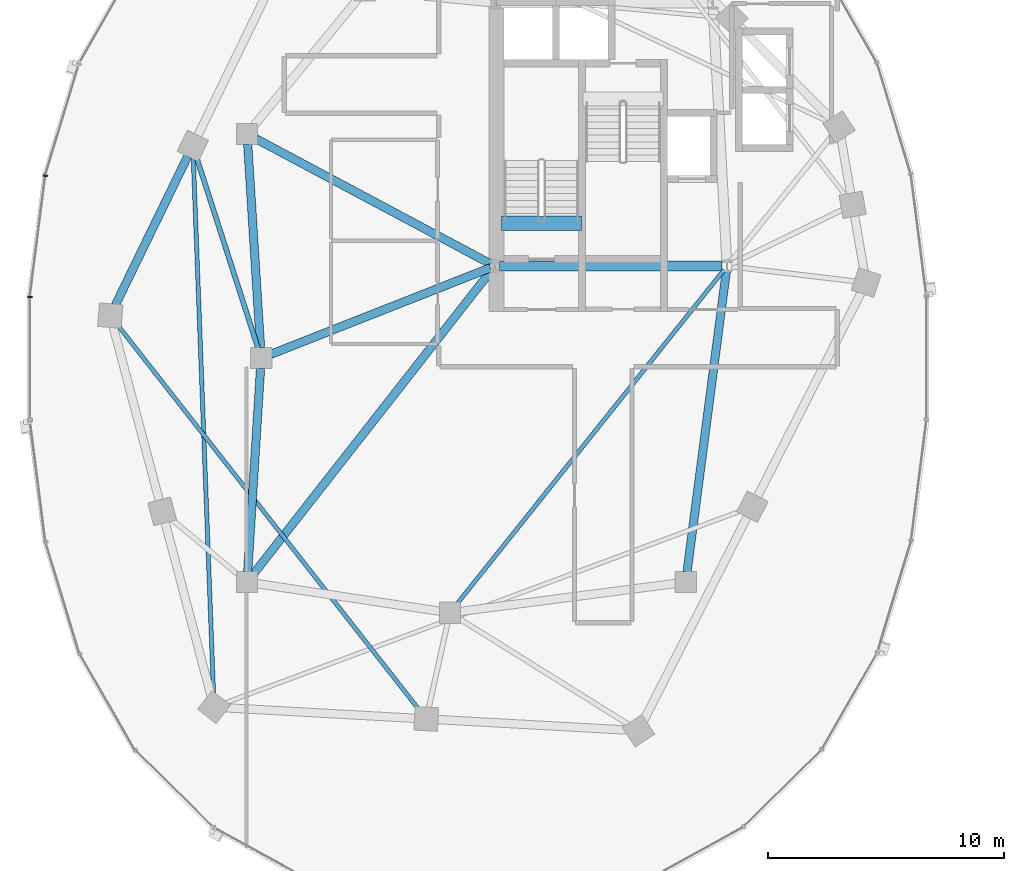
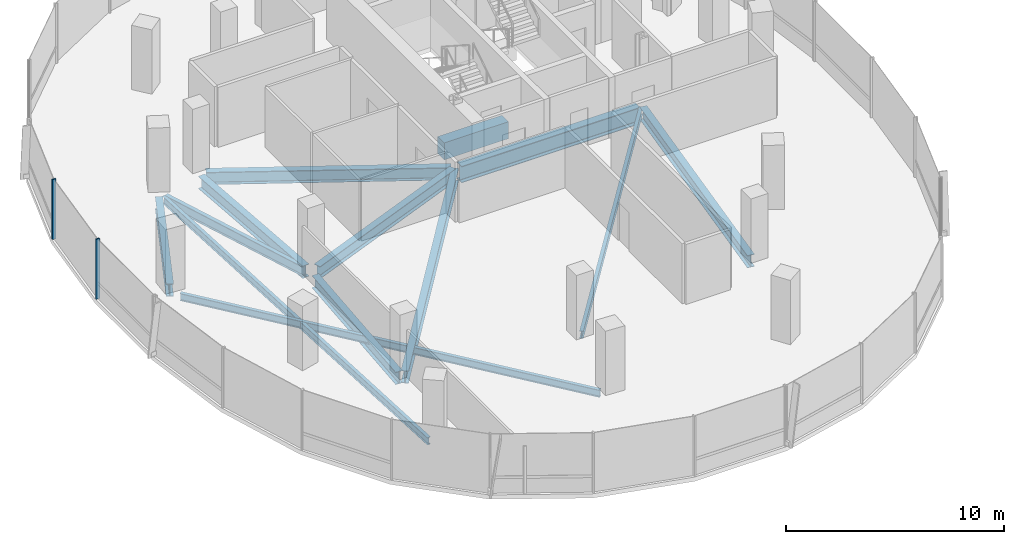
# One storey, part 3 of 21: 13 beams, 2 members, 1 element without a shape of its own.
"""IFC4 building model written with IfcOpenShell, lengths in metres."""

from ifc_helpers import new_model, si_unit, direction, frame, origin, origin_2d, place, context, subcontext, project, spatial, rectangle, i_section, extrude, material, material_profile, profile_set, type_object, element, aggregate, save


model = new_model("IFC4")

# Units and contexts
model_context = context("Model", 3, precision=1e-05, world=origin(), true_north=direction((0.0, 1.0)))
body_context = subcontext(model_context, "Body", "Model", "MODEL_VIEW")
ifc_project = project(units=[si_unit("LENGTHUNIT", "METRE"), si_unit("AREAUNIT", "SQUARE_METRE"), si_unit("VOLUMEUNIT", "CUBIC_METRE"), si_unit("PLANEANGLEUNIT", "RADIAN"), si_unit("MASSUNIT", "GRAM", prefix="KILO"), si_unit("THERMODYNAMICTEMPERATUREUNIT", "KELVIN"), si_unit("POWERUNIT", "WATT")], contexts=[model_context])

# Site, building, storey
site_placement = place(None, origin())
site = spatial("IfcSite", under=ifc_project, at=site_placement, CompositionType="ELEMENT")
building_placement = place(site_placement, origin())
building = spatial("IfcBuilding", under=site, at=building_placement, Name="Cundina Bronze Exchange", CompositionType="ELEMENT")
storey_placement = place(building_placement, frame((0.0, 0.0, 180.0)))
storey = spatial("IfcBuildingStorey", under=building, at=storey_placement, Name="L47", CompositionType="ELEMENT", Elevation=180.0)

# Beams
ifc_material_1 = material(Name="Concrete C60/75", Category="concrete")
ifc_material_profile_1 = material_profile(ifc_material_1, rectangle(XDim=0.60009765625, YDim=0.949951171875, at=origin_2d()), Name="RC600X950", Category="concrete")
ifc_profile_set_1 = profile_set([ifc_material_profile_1], Name="Concrete C60/75")
beam_type_1 = type_object("IfcBeamType", Name="BM-COUP-RC950", PredefinedType="LINTEL", material=ifc_profile_set_1)
beam_1_placement = place(storey_placement, frame((-31.02001953125, 5.719970703125, -0.47509765625), z_axis=(1.0, 0.0, 0.0), x_axis=(0.0, 1.0, 0.0)))
element("IfcBeam", 1, at=beam_1_placement, inside=storey, type_object=beam_type_1, Name="L47 Stair W1 Landing Header Beam", PredefinedType="LINTEL", context=body_context, shape_type="SweptSolid", body=[
    extrude(rectangle(XDim=0.60009765625, YDim=0.949951171875, at=origin_2d()), origin(), (0.0, 0.0, 1.0), 3.39990234375),
])
ifc_material_2 = material(Name="Steel ASTM A992 Grade 50", Category="steel")
ifc_material_profile_2 = material_profile(ifc_material_2, i_section(OverallWidth=0.2119140625, OverallDepth=0.5439453125, WebThickness=0.01318359375, FlangeThickness=0.021240234375, FilletRadius=0.013916015625, at=origin_2d()), Name="W21X83", Category="steel")
ifc_profile_set_2 = profile_set([ifc_material_profile_2], Name="Steel ASTM A992 Grade 50")
beam_type_2 = type_object("IfcBeamType", Name="BM-FLR-W21A", PredefinedType="BEAM", material=ifc_profile_set_2)
beam_2_placement = place(storey_placement, frame((-41.334228515625, 0.4169921875, -0.511962890625), z_axis=(-0.30669751302, 0.951807036908, 0.0), x_axis=(-0.951807036908, -0.30669751302, 0.0)))
element("IfcBeam", 2, at=beam_2_placement, inside=storey, type_object=beam_type_2, Name="L47 Leg W Radial Floor Beam 07", PredefinedType="BEAM", context=body_context, shape_type="SweptSolid", body=[
    extrude(i_section(OverallWidth=0.2119140625, OverallDepth=0.5439453125, WebThickness=0.01318359375, FlangeThickness=0.021240234375, FilletRadius=0.013916015625, at=origin_2d()), origin(), (0.0, 0.0, 1.0), 8.529541015625),
])
ifc_material_profile_3 = material_profile(ifc_material_2, i_section(OverallWidth=0.178955078125, OverallDepth=0.409912109375, WebThickness=0.0087890625, FlangeThickness=0.014404296875, FilletRadius=0.010986328125, at=origin_2d()), Name="W16X45", Category="steel")
ifc_profile_set_3 = profile_set([ifc_material_profile_3], Name="Steel ASTM A992 Grade 50")
beam_type_3 = type_object("IfcBeamType", Name="BM-JST-W16", PredefinedType="JOIST", material=ifc_profile_set_3)
beam_3_placement = place(storey_placement, frame((-21.577392578125, 3.740478515625, -0.445068359375), z_axis=(-0.624370675223, -0.781128196854, 0.0), x_axis=(0.781128196854, -0.624370675223, 0.0)))
element("IfcBeam", 3, at=beam_3_placement, inside=storey, type_object=beam_type_3, Name="L47 W Interior Core-to-Ring Joist 2", PredefinedType="JOIST", context=body_context, shape_type="SweptSolid", body=[
    extrude(i_section(OverallWidth=0.178955078125, OverallDepth=0.409912109375, WebThickness=0.0087890625, FlangeThickness=0.014404296875, FilletRadius=0.010986328125, at=origin_2d()), origin(), (0.0, 0.0, 1.0), 18.177001953125),
])
beam_4_placement = place(storey_placement, frame((-44.08154296875, 8.51220703125, -0.445068359375), z_axis=(0.037784933381, -0.999285894431, 0.0), x_axis=(0.999285894431, 0.037784933381, 0.0)))
element("IfcBeam", 4, at=beam_4_placement, inside=storey, type_object=beam_type_3, Name="L47 Leg W Lobe Floor Joist 07-10", PredefinedType="JOIST", context=body_context, shape_type="SweptSolid", body=[
    extrude(i_section(OverallWidth=0.178955078125, OverallDepth=0.409912109375, WebThickness=0.0087890625, FlangeThickness=0.014404296875, FilletRadius=0.010986328125, at=origin_2d()), origin(), (0.0, 0.0, 1.0), 22.8408203125),
])
beam_5_placement = place(storey_placement, frame((-47.299072265625, 1.416015625, -0.445068359375), z_axis=(0.616801484103, -0.787118751656, 0.0), x_axis=(0.787118751656, 0.616801484103, 0.0)))
element("IfcBeam", 5, at=beam_5_placement, inside=storey, type_object=beam_type_3, Name="L47 Leg W Lobe Floor Joist 08-11", PredefinedType="JOIST", context=body_context, shape_type="SweptSolid", body=[
    extrude(i_section(OverallWidth=0.178955078125, OverallDepth=0.409912109375, WebThickness=0.0087890625, FlangeThickness=0.014404296875, FilletRadius=0.010986328125, at=origin_2d()), origin(), (0.0, 0.0, 1.0), 20.7490234375),
])
ifc_material_profile_4 = material_profile(ifc_material_2, i_section(OverallWidth=0.35498046875, OverallDepth=0.695068359375, WebThickness=0.015380859375, FlangeThickness=0.02490234375, FilletRadius=0.01806640625, at=origin_2d()), Name="W27X146", Category="steel")
ifc_profile_set_4 = profile_set([ifc_material_profile_4], Name="Steel ASTM A992 Grade 50")
beam_type_4 = type_object("IfcBeamType", Name="BM-RING-W27", PredefinedType="USERDEFINED", material=ifc_profile_set_4)
for number, where, z_axis, x_axis, name in (
    (6, (-41.7724609375, 9.06298828125, -0.58740234375), (0.063046519736, -0.998010589297, 0.0), (0.998010589297, 0.063046519736, 0.0), "L47 W Inner Structural Ring Girder 03"),
    (7, (-41.2275390625, -0.43701171875, -0.58740234375), (-0.063046519736, -0.998010589297, 0.0), (0.998010589297, -0.063046519736, 0.0), "L47 W Inner Structural Ring Girder 04"),
):
    element("IfcBeam", number, at=place(storey_placement, frame(where, z_axis=z_axis, x_axis=x_axis)), inside=storey, type_object=beam_type_4, Name=name, ObjectType="GIRDER", PredefinedType="USERDEFINED", context=body_context, shape_type="SweptSolid", body=[
        extrude(i_section(OverallWidth=0.35498046875, OverallDepth=0.695068359375, WebThickness=0.015380859375, FlangeThickness=0.02490234375, FilletRadius=0.01806640625, at=origin_2d()), origin(), (0.0, 0.0, 1.0), 8.64306640625),
    ])
beam_6_placement = place(storey_placement, frame((-23.143310546875, -9.065673828125, -0.58740234375), z_axis=(0.129507030047, 0.991578503785, 0.0), x_axis=(-0.991578503785, 0.129507030047, 0.0)))
element("IfcBeam", 8, at=beam_6_placement, inside=storey, type_object=beam_type_4, Name="L47 W Inner Structural Ring Girder 07", ObjectType="GIRDER", PredefinedType="USERDEFINED", context=body_context, shape_type="SweptSolid", body=[
    extrude(i_section(OverallWidth=0.35498046875, OverallDepth=0.695068359375, WebThickness=0.015380859375, FlangeThickness=0.02490234375, FilletRadius=0.01806640625, at=origin_2d()), origin(), (0.0, 0.0, 1.0), 12.871826171875),
])
beam_7_placement = place(storey_placement, frame((-31.48974609375, 3.8251953125, -0.58740234375), z_axis=(-0.930405617189, -0.36653156413, 0.0), x_axis=(0.36653156413, -0.930405617189, 0.0)))
element("IfcBeam", 9, at=beam_7_placement, inside=storey, type_object=beam_type_4, Name="L47 W Core-to-Waist Tie Beam 1", ObjectType="GIRDER", PredefinedType="USERDEFINED", context=body_context, shape_type="SweptSolid", body=[
    extrude(i_section(OverallWidth=0.35498046875, OverallDepth=0.695068359375, WebThickness=0.015380859375, FlangeThickness=0.02490234375, FilletRadius=0.01806640625, at=origin_2d()), origin(), (0.0, 0.0, 1.0), 9.99853515625),
])
beam_8_placement = place(storey_placement, frame((-31.47998046875, 3.99609375, -0.58740234375), z_axis=(-0.88235534237, 0.470583733028, 0.0), x_axis=(-0.470583733028, -0.88235534237, 0.0)))
element("IfcBeam", 10, at=beam_8_placement, inside=storey, type_object=beam_type_4, Name="L47 W Core-to-Waist Tie Beam 2", ObjectType="GIRDER", PredefinedType="USERDEFINED", context=body_context, shape_type="SweptSolid", body=[
    extrude(i_section(OverallWidth=0.35498046875, OverallDepth=0.695068359375, WebThickness=0.015380859375, FlangeThickness=0.02490234375, FilletRadius=0.01806640625, at=origin_2d()), origin(), (0.0, 0.0, 1.0), 11.258056640625),
])
beam_9_placement = place(storey_placement, frame((-31.42578125, 3.739501953125, -0.58740234375), z_axis=(-0.616779109924, -0.787136283982, 0.0), x_axis=(0.787136283982, -0.616779109924, 0.0)))
element("IfcBeam", 11, at=beam_9_placement, inside=storey, type_object=beam_type_4, Name="L47 W Core-to-Waist Tie Beam 3", ObjectType="GIRDER", PredefinedType="USERDEFINED", context=body_context, shape_type="SweptSolid", body=[
    extrude(i_section(OverallWidth=0.35498046875, OverallDepth=0.695068359375, WebThickness=0.015380859375, FlangeThickness=0.02490234375, FilletRadius=0.01806640625, at=origin_2d()), origin(), (0.0, 0.0, 1.0), 16.3818359375),
])
beam_10_placement = place(storey_placement, frame((-44.3134765625, 8.56103515625, -0.58740234375), z_axis=(-0.437196998825, -0.89936576776, 0.0), x_axis=(0.89936576776, -0.437196998825, 0.0)))
element("IfcBeam", 12, at=beam_10_placement, inside=storey, type_object=beam_type_4, Name="L47 W Perimeter Ring Girder 07", ObjectType="GIRDER", PredefinedType="USERDEFINED", context=body_context, shape_type="SweptSolid", body=[
    extrude(i_section(OverallWidth=0.35498046875, OverallDepth=0.695068359375, WebThickness=0.015380859375, FlangeThickness=0.02490234375, FilletRadius=0.01806640625, at=origin_2d()), origin(), (0.0, 0.0, 1.0), 7.029541015625),
])
ifc_material_profile_5 = material_profile(ifc_material_2, i_section(OverallWidth=0.41796875, OverallDepth=0.927001953125, WebThickness=0.019287109375, FlangeThickness=0.031982421875, FilletRadius=0.02392578125, at=origin_2d()), Name="W36X231", Category="steel")
ifc_profile_set_5 = profile_set([ifc_material_profile_5], Name="Steel ASTM A992 Grade 50")
beam_type_5 = type_object("IfcBeamType", Name="BM-WRN-W36B", PredefinedType="USERDEFINED", material=ifc_profile_set_5)
beam_11_placement = place(storey_placement, frame((-31.095947265625, 3.89990234375, -0.70361328125), z_axis=(1.0, 0.0, 0.0), x_axis=(0.0, 1.0, 0.0)))
element("IfcBeam", 13, at=beam_11_placement, inside=storey, type_object=beam_type_5, Name="L47 W Core Perimeter Tie Girder 1", ObjectType="GIRDER", PredefinedType="USERDEFINED", context=body_context, shape_type="SweptSolid", body=[
    extrude(i_section(OverallWidth=0.41796875, OverallDepth=0.927001953125, WebThickness=0.019287109375, FlangeThickness=0.031982421875, FilletRadius=0.02392578125, at=origin_2d()), origin(), (0.0, 0.0, 1.0), 9.44189453125),
])

# Curtain wall, members
ifc_material_3 = material(Name="Anodised Bronze Aluminium 6063-T6", Category="aluminium")
curtain_wall_type = type_object("IfcCurtainWallType", Name="CWS-WST-PIN", PredefinedType="NOTDEFINED", material=ifc_material_3)
curtain_wall_placement = place(storey_placement, origin())
curtain_wall = element("IfcCurtainWall", 14, at=curtain_wall_placement, inside=storey, type_object=curtain_wall_type, Name="L47 CW-04 Curtain Wall Run CWR-L47-W2", PredefinedType="NOTDEFINED")
ifc_material_profile_6 = material_profile(ifc_material_3, rectangle(XDim=0.070068359375, YDim=0.18994140625, at=origin_2d()), Name="AL70X190", Category="aluminium")
ifc_profile_set_6 = profile_set([ifc_material_profile_6], Name="Anodised Bronze Aluminium 6063-T6")
member_type = type_object("IfcMemberType", Name="CWM-MUL-190", PredefinedType="MULLION", material=ifc_profile_set_6)
member_1_placement = place(storey_placement, frame((-50.357177734375, 7.731689453125, 0.0), z_axis=(0.0, 0.0, 1.0), x_axis=(-0.126545236492, -0.991960837494, 0.0)))
member_1 = element("IfcMember", 15, at=member_1_placement, type_object=member_type, Name="CW-04 Mullion 6", PredefinedType="MULLION", context=body_context, shape_type="SweptSolid", body=[
    extrude(rectangle(XDim=0.070068359375, YDim=0.18994140625, at=origin_2d()), origin(), (0.0, 0.0, 1.0), 3.360107421875),
])
member_2_placement = place(storey_placement, frame((-51.007080078125, 2.593017578125, 0.0), z_axis=(0.0, 0.0, 1.0), x_axis=(0.0, -1.0, 0.0)))
member_2 = element("IfcMember", 16, at=member_2_placement, type_object=member_type, Name="CW-04 Mullion 7", PredefinedType="MULLION", context=body_context, shape_type="SweptSolid", body=[
    extrude(rectangle(XDim=0.070068359375, YDim=0.18994140625, at=origin_2d()), origin(), (0.0, 0.0, 1.0), 3.360107421875),
])
aggregate(curtain_wall, [member_1, member_2])

save(model, "model.ifc")
